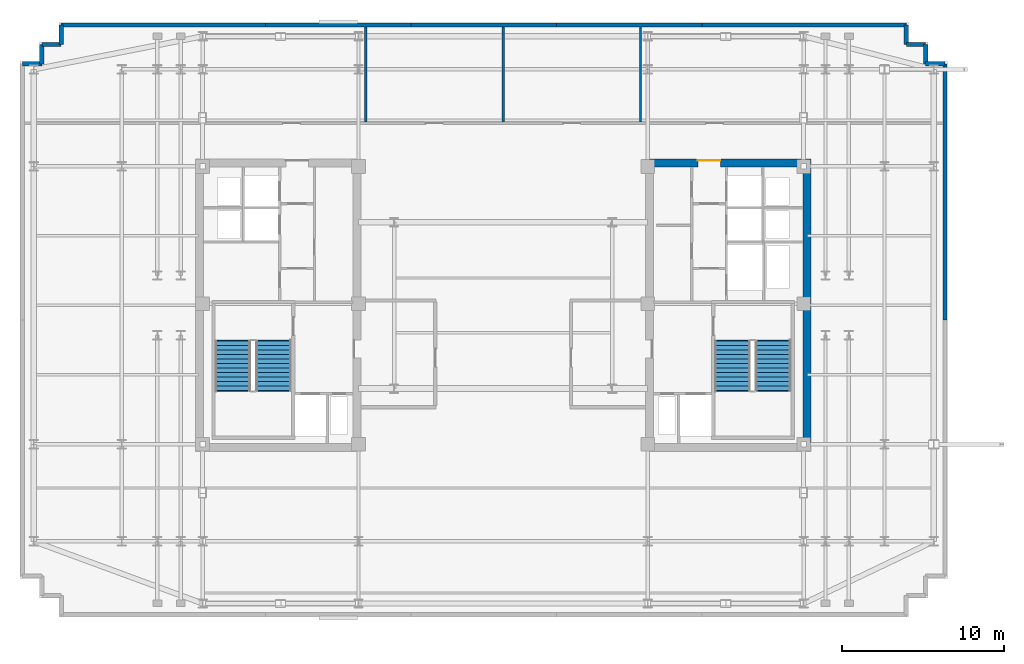
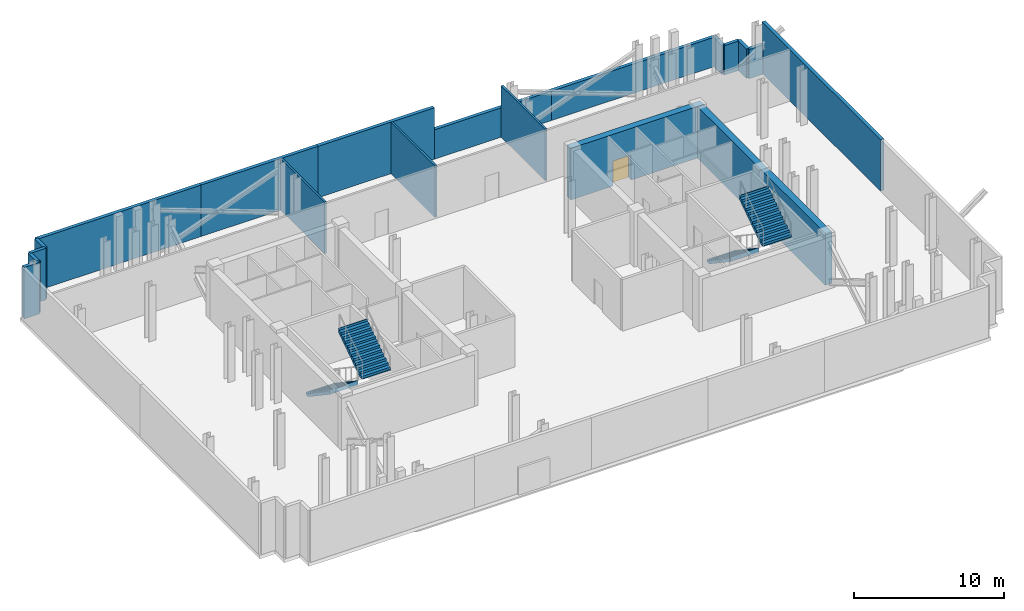
# One storey, part 6 of 8: 19 walls, 4 stair flights, 1 door, 1 opening, 2 elements without a shape of their own.
"""IFC4 building model written with IfcOpenShell, lengths in metres."""

from ifc_helpers import new_model, si_unit, direction, frame, frame_2d, origin, place, context, subcontext, project, spatial, polyline, rectangle, outline, extrude, material, layer, layer_set, type_object, element, fill, aggregate, save


model = new_model("IFC4")

# Units and contexts
model_context = context("Model", 3, precision=1e-05, world=origin(), true_north=direction((0.0, 1.0)))
body_context = subcontext(model_context, "Body", "Model", "MODEL_VIEW")
ifc_project = project(units=[si_unit("LENGTHUNIT", "METRE"), si_unit("AREAUNIT", "SQUARE_METRE"), si_unit("VOLUMEUNIT", "CUBIC_METRE"), si_unit("PLANEANGLEUNIT", "RADIAN"), si_unit("MASSUNIT", "GRAM", prefix="KILO")], contexts=[model_context])

# Site, building, storey
site_placement = place(None, origin())
site = spatial("IfcSite", under=ifc_project, at=site_placement, CompositionType="ELEMENT")
building_placement = place(site_placement, origin())
building = spatial("IfcBuilding", under=site, at=building_placement, Name="Velakula Bourse", CompositionType="ELEMENT")
storey_placement = place(building_placement, frame((0.0, 0.0, 243.0)))
storey = spatial("IfcBuildingStorey", under=building, at=storey_placement, Name="L66", CompositionType="ELEMENT", Elevation=243.0)

# Wall, opening, door
ifc_material_1 = material(Name="Concrete M50 (fck 50 MPa)", Category="concrete")
ifc_layer_1 = layer(ifc_material_1, 0.5, Name="Concrete M50 (fck 50 MPa)", Category="concrete")
ifc_layer_set_1 = layer_set([ifc_layer_1], Name="Concrete M50 (fck 50 MPa)")
wall_type_1 = type_object("IfcWallType", Name="WL-CORE-500", PredefinedType="SHEAR", material=ifc_layer_set_1)
wall_1_placement = place(storey_placement, frame((8.800048828125, 8.800048828125, 0.0), z_axis=(0.0, 0.0, 1.0), x_axis=(1.0, 0.0, 0.0)))
wall_1 = element("IfcWall", 1, at=wall_1_placement, inside=storey, type_object=wall_type_1, Name="L66 Core E Shear Wall N", PredefinedType="SHEAR", context=body_context, shape_type="SweptSolid", body=[
    extrude(rectangle(XDim=10.25, YDim=0.5, at=frame_2d((5.125, 0.0))), origin(), (0.0, 0.0, 1.0), 4.219970703125),
])
opening_placement = place(wall_1_placement, frame((3.25, 0.0, 0.0)))
opening = element("IfcOpeningElement", 2, at=opening_placement, cuts=wall_1, Name="Opening D-LLE", PredefinedType="OPENING", context=body_context, shape_type="SweptSolid", body=[
    extrude(rectangle(XDim=1.39990234375, YDim=2.050048828125, at=frame_2d((0.699951171875, 1.02490234375))), frame((0.0, 0.260009765625, 0.0), z_axis=(0.0, -1.0, 0.0), x_axis=(1.0, 0.0, 0.0)), (0.0, 0.0, 1.0), 0.52001953125),
])
ifc_material_2 = material(Name="Fire-rated hardwood flush architectural door", Category="wood")
door_type = type_object("IfcDoorType", Name="DR-DBL-FD60-1400", OperationType="DOUBLE_DOOR_SINGLE_SWING", PredefinedType="DOOR", material=ifc_material_2)
door_placement = place(opening_placement, origin())
door = element("IfcDoor", 3, at=door_placement, inside=storey, type_object=door_type, Name="L66 Core E Lift Lobby Corridor Double Door", OperationType="DOUBLE_DOOR_SINGLE_SWING", OverallHeight=2.050048828125, OverallWidth=1.39990234375, PredefinedType="DOOR", context=body_context, shape_type="SweptSolid", body=[
    extrude(rectangle(XDim=1.39990234375, YDim=2.050048828125, at=frame_2d((0.699951171875, 1.02490234375))), frame((0.0, 0.19482421875, 0.0), z_axis=(0.0, -1.0, 0.0), x_axis=(1.0, 0.0, 0.0)), (0.0, 0.0, 1.0), 0.050048828125),
])
fill(opening, door)

# Walls
wall_2_placement = place(storey_placement, frame((18.800048828125, -8.550048828125, 0.0), z_axis=(0.0, 0.0, 1.0), x_axis=(0.0, 1.0, 0.0)))
element("IfcWall", 4, at=wall_2_placement, inside=storey, type_object=wall_type_1, Name="L66 Core E Shear Wall E", PredefinedType="SHEAR", context=body_context, shape_type="SweptSolid", body=[
    extrude(rectangle(XDim=17.10009765625, YDim=0.5, at=frame_2d((8.550048828125, 0.0))), origin(), (0.0, 0.0, 1.0), 4.219970703125),
])
ifc_material_3 = material(Name="Buff kilned clay facing brick masonry", Category="masonry")
ifc_layer_2 = layer(ifc_material_3, 0.260009765625, Name="Buff kilned clay facing brick masonry", Category="masonry")
ifc_layer_set_2 = layer_set([ifc_layer_2], Name="Buff kilned clay facing brick masonry")
wall_type_2 = type_object("IfcWallType", Name="WL-EXT-BRK-260", PredefinedType="STANDARD", material=ifc_layer_set_2)
wall_3_placement = place(storey_placement, frame((-27.35009765625, 17.35009765625, 0.0), z_axis=(0.0, 0.0, 1.0), x_axis=(1.0, 0.0, 0.0)))
element("IfcWall", 5, at=wall_3_placement, inside=storey, type_object=wall_type_2, Name="L66 N Brick Spandrel Wall B1", PredefinedType="STANDARD", context=body_context, shape_type="SweptSolid", body=[
    extrude(rectangle(XDim=12.650146484375, YDim=0.260009765625, at=frame_2d((6.3251953125, 0.0))), origin(), (0.0, 0.0, 1.0), 4.199951171875),
])
for number, where, z_axis, x_axis, name in (
    (6, (-14.699951171875, 17.35009765625, 0.0), (0.0, 0.0, 1.0), (1.0, 0.0, 0.0), "L66 N Brick Spandrel Wall B2"),
    (7, (-5.699951171875, 17.35009765625, 0.0), (0.0, 0.0, 1.0), (1.0, 0.0, 0.0), "L66 N Brick Spandrel Wall B3"),
):
    element("IfcWall", number, at=place(storey_placement, frame(where, z_axis=z_axis, x_axis=x_axis)), inside=storey, type_object=wall_type_2, Name=name, PredefinedType="STANDARD", context=body_context, shape_type="SweptSolid", body=[
        extrude(rectangle(XDim=9.0, YDim=0.260009765625, at=frame_2d((4.5, 0.0))), origin(), (0.0, 0.0, 1.0), 4.199951171875),
    ])
wall_4_placement = place(storey_placement, frame((3.300048828125, 17.35009765625, 0.0), z_axis=(0.0, 0.0, 1.0), x_axis=(1.0, 0.0, 0.0)))
element("IfcWall", 8, at=wall_4_placement, inside=storey, type_object=wall_type_2, Name="L66 N Brick Spandrel Wall B4", PredefinedType="STANDARD", context=body_context, shape_type="SweptSolid", body=[
    extrude(rectangle(XDim=9.0, YDim=0.260009765625, at=frame_2d((4.5, 0.0))), origin(), (0.0, 0.0, 1.0), 2.39501953125),
])
wall_5_placement = place(storey_placement, frame((12.300048828125, 17.35009765625, 0.0), z_axis=(0.0, 0.0, 1.0), x_axis=(1.0, 0.0, 0.0)))
element("IfcWall", 9, at=wall_5_placement, inside=storey, type_object=wall_type_2, Name="L66 N Brick Spandrel Wall B5", PredefinedType="STANDARD", context=body_context, shape_type="SweptSolid", body=[
    extrude(rectangle(XDim=12.64990234375, YDim=0.260009765625, at=frame_2d((6.324951171875, 0.0))), origin(), (0.0, 0.0, 1.0), 2.39501953125),
])
wall_6_placement = place(storey_placement, frame((27.35009765625, 14.949951171875, 0.0), z_axis=(0.0, 0.0, 1.0), x_axis=(0.0, -1.0, 0.0)))
element("IfcWall", 10, at=wall_6_placement, inside=storey, type_object=wall_type_2, Name="L66 E Brick End Wall W2", PredefinedType="STANDARD", context=body_context, shape_type="SweptSolid", body=[
    extrude(rectangle(XDim=15.849853515625, YDim=0.260009765625, at=frame_2d((7.9248046875, 0.0))), origin(), (0.0, 0.0, 1.0), 4.199951171875),
])
wall_7_placement = place(storey_placement, frame((27.35009765625, 14.949951171875, 0.0), z_axis=(0.0, 0.0, 1.0), x_axis=(-1.0, 0.0, 0.0)))
element("IfcWall", 11, at=wall_7_placement, inside=storey, type_object=wall_type_2, Name="L66 Serrated Corner Brick Wall NE-1", PredefinedType="STANDARD", context=body_context, shape_type="SweptSolid", body=[
    extrude(rectangle(XDim=1.2001953125, YDim=0.260009765625, at=frame_2d((0.60009765625, 0.0))), origin(), (0.0, 0.0, 1.0), 2.39501953125),
])
for number, where, z_axis, x_axis, name in (
    (12, (26.14990234375, 14.949951171875, 0.0), (0.0, 0.0, 1.0), (0.0, 1.0, 0.0), "L66 Serrated Corner Brick Wall NE-2"),
    (13, (26.14990234375, 16.14990234375, 0.0), (0.0, 0.0, 1.0), (-1.0, 0.0, 0.0), "L66 Serrated Corner Brick Wall NE-3"),
):
    element("IfcWall", number, at=place(storey_placement, frame(where, z_axis=z_axis, x_axis=x_axis)), inside=storey, type_object=wall_type_2, Name=name, PredefinedType="STANDARD", context=body_context, shape_type="SweptSolid", body=[
        extrude(rectangle(XDim=1.199951171875, YDim=0.260009765625, at=frame_2d((0.60009765625, 0.0))), origin(), (0.0, 0.0, 1.0), 2.39501953125),
    ])
wall_8_placement = place(storey_placement, frame((24.949951171875, 16.14990234375, 0.0), z_axis=(0.0, 0.0, 1.0), x_axis=(0.0, 1.0, 0.0)))
element("IfcWall", 14, at=wall_8_placement, inside=storey, type_object=wall_type_2, Name="L66 Serrated Corner Brick Wall NE-4", PredefinedType="STANDARD", context=body_context, shape_type="SweptSolid", body=[
    extrude(rectangle(XDim=1.2001953125, YDim=0.260009765625, at=frame_2d((0.60009765625, 0.0))), origin(), (0.0, 0.0, 1.0), 2.39501953125),
])
wall_9_placement = place(storey_placement, frame((-27.35009765625, 17.35009765625, 0.0), z_axis=(0.0, 0.0, 1.0), x_axis=(0.0, -1.0, 0.0)))
element("IfcWall", 15, at=wall_9_placement, inside=storey, type_object=wall_type_2, Name="L66 Serrated Corner Brick Wall NW-1", PredefinedType="STANDARD", context=body_context, shape_type="SweptSolid", body=[
    extrude(rectangle(XDim=1.2001953125, YDim=0.260009765625, at=frame_2d((0.60009765625, 0.0))), origin(), (0.0, 0.0, 1.0), 4.199951171875),
])
for number, where, z_axis, x_axis, name in (
    (16, (-27.35009765625, 16.14990234375, 0.0), (0.0, 0.0, 1.0), (-1.0, 0.0, 0.0), "L66 Serrated Corner Brick Wall NW-2"),
    (17, (-28.550048828125, 16.14990234375, 0.0), (0.0, 0.0, 1.0), (0.0, -1.0, 0.0), "L66 Serrated Corner Brick Wall NW-3"),
    (18, (-28.550048828125, 14.949951171875, 0.0), (0.0, 0.0, 1.0), (-1.0, 0.0, 0.0), "L66 Serrated Corner Brick Wall NW-4"),
):
    element("IfcWall", number, at=place(storey_placement, frame(where, z_axis=z_axis, x_axis=x_axis)), inside=storey, type_object=wall_type_2, Name=name, PredefinedType="STANDARD", context=body_context, shape_type="SweptSolid", body=[
        extrude(rectangle(XDim=1.199951171875, YDim=0.260009765625, at=frame_2d((0.60009765625, 0.0))), origin(), (0.0, 0.0, 1.0), 4.199951171875),
    ])
ifc_material_4 = material(Name="Autoclaved aerated concrete blockwork masonry", Category="masonry")
ifc_layer_3 = layer(ifc_material_4, 0.14990234375, Name="Autoclaved aerated concrete blockwork masonry", Category="masonry")
ifc_layer_set_3 = layer_set([ifc_layer_3], Name="Autoclaved aerated concrete blockwork masonry")
wall_type_3 = type_object("IfcWallType", Name="WL-SHAFT-150", PredefinedType="STANDARD", material=ifc_layer_set_3)
for number, where, z_axis, x_axis, name in (
    (19, (-8.5, 11.35009765625, 0.0), (0.0, 0.0, 1.0), (0.0, 1.0, 0.0), "L66 Interior Partition WL-PLT-L66-DV-11"),
    (20, (0.0, 11.35009765625, 0.0), (0.0, 0.0, 1.0), (0.0, 1.0, 0.0), "L66 Interior Partition WL-PLT-L66-DV-20"),
    (21, (8.5, 11.35009765625, 0.0), (0.0, 0.0, 1.0), (0.0, 1.0, 0.0), "L66 Interior Partition WL-PLT-L66-DV-28"),
):
    element("IfcWall", number, at=place(storey_placement, frame(where, z_axis=z_axis, x_axis=x_axis)), inside=storey, type_object=wall_type_3, Name=name, PredefinedType="STANDARD", context=body_context, shape_type="SweptSolid", body=[
        extrude(rectangle(XDim=5.869873046875, YDim=0.14990234375, at=frame_2d((2.93505859375, 0.0))), origin(), (0.0, 0.0, 1.0), 4.199951171875),
    ])

# Stair, stair flights
ifc_material_5 = material(Name="Concrete M45 (fck 45 MPa)", Category="concrete")
stair_type = type_object("IfcStairType", Name="STR-DOG-435", PredefinedType="HALF_TURN_STAIR", material=ifc_material_5)
stair_1_placement = place(storey_placement, origin())
stair_1 = element("IfcStair", 22, at=stair_1_placement, inside=storey, type_object=stair_type, Name="L66 West Core Exit Stair ST-W1", PredefinedType="HALF_TURN_STAIR")
ifc_layer_4 = layer(ifc_material_5, 0.199951171875, Name="Concrete M45 (fck 45 MPa)", Category="concrete")
ifc_layer_set_4 = layer_set([ifc_layer_4], Name="Concrete M45 (fck 45 MPa)")
stair_flight_type = type_object("IfcStairFlightType", Name="FLT-DOG-435", PredefinedType="STRAIGHT", material=ifc_layer_set_4)
stair_flight_1_placement = place(storey_placement, frame((-16.720947265625, -2.199951171875, 0.0), z_axis=(0.0, 0.0, 1.0), x_axis=(0.0, -1.0, 0.0)))
stair_flight_1 = element("IfcStairFlight", 23, at=stair_flight_1_placement, type_object=stair_flight_type, Name="ST-W1 flight 1", NumberOfRisers=12, NumberOfTreads=11, PredefinedType="STRAIGHT", RiserHeight=0.1875, TreadLength=0.28, context=body_context, shape_type="SweptSolid", body=[
    extrude(outline(polyline([(-0.044921875, -0.0400390625), (-0.044921875, -0.036865234375), (-0.044921875, -0.033935546875), (-0.044921875, -0.03076171875), (-0.044921875, -0.027587890625), (-0.044921875, -0.024658203125), (-0.044921875, -0.021484375), (-0.044921875, -0.0185546875), (-0.044921875, -0.015380859375), (-0.044921875, -0.01220703125), (-0.044921875, -0.00927734375), (-0.044921875, -0.006103515625), (-0.044921875, -0.003173828125), (-0.044921875, 0.0), (0.0, 0.0), (0.0, 0.1875), (0.280029296875, 0.1875), (0.280029296875, 0.375), (0.56005859375, 0.375), (0.56005859375, 0.5625), (0.840087890625, 0.5625), (0.840087890625, 0.75), (1.1201171875, 0.75), (1.1201171875, 0.9375), (1.39990234375, 0.9375), (1.39990234375, 1.125), (1.679931640625, 1.125), (1.679931640625, 1.3125), (1.9599609375, 1.3125), (1.9599609375, 1.5), (2.239990234375, 1.5), (2.239990234375, 1.6875), (2.52001953125, 1.6875), (2.52001953125, 1.875), (2.800048828125, 1.875), (2.800048828125, 2.0625), (3.080078125, 2.0625), (3.080078125, 2.25), (3.125, 2.25), (3.125, 2.2236328125), (3.125, 2.197509765625), (3.125, 2.171142578125), (3.125, 2.144775390625), (3.125, 2.11865234375), (3.125, 2.09228515625), (3.125, 2.066162109375), (3.125, 2.039794921875), (3.125, 2.013427734375), (3.125, 1.9873046875), (3.125, 1.9609375), (3.125, 1.9345703125), (3.125, 1.908447265625), (3.125, 1.882080078125), (0.26953125, -0.0400390625), (-0.044921875, -0.0400390625)])), frame((0.0, 1.09912109375, 0.0), z_axis=(0.0, -1.0, 0.0), x_axis=(1.0, 0.0, 0.0)), (0.0, 0.0, 1.0), 2.197998046875),
])
stair_flight_2_placement = place(storey_placement, frame((-14.198974609375, -5.280029296875, 2.25), z_axis=(0.0, 0.0, 1.0), x_axis=(0.0, 1.0, 0.0)))
stair_flight_2 = element("IfcStairFlight", 24, at=stair_flight_2_placement, type_object=stair_flight_type, Name="ST-W1 flight 2", NumberOfRisers=12, NumberOfTreads=11, PredefinedType="STRAIGHT", RiserHeight=0.1875, TreadLength=0.28, context=body_context, shape_type="SweptSolid", body=[
    extrude(outline(polyline([(-0.044921875, -0.0400390625), (-0.044921875, -0.036865234375), (-0.044921875, -0.033935546875), (-0.044921875, -0.03076171875), (-0.044921875, -0.027587890625), (-0.044921875, -0.024658203125), (-0.044921875, -0.021484375), (-0.044921875, -0.0185546875), (-0.044921875, -0.015380859375), (-0.044921875, -0.01220703125), (-0.044921875, -0.00927734375), (-0.044921875, -0.006103515625), (-0.044921875, -0.003173828125), (-0.044921875, 0.0), (0.0, 0.0), (0.0, 0.1875), (0.280029296875, 0.1875), (0.280029296875, 0.375), (0.56005859375, 0.375), (0.56005859375, 0.5625), (0.840087890625, 0.5625), (0.840087890625, 0.75), (1.1201171875, 0.75), (1.1201171875, 0.9375), (1.39990234375, 0.9375), (1.39990234375, 1.125), (1.679931640625, 1.125), (1.679931640625, 1.3125), (1.9599609375, 1.3125), (1.9599609375, 1.5), (2.239990234375, 1.5), (2.239990234375, 1.6875), (2.52001953125, 1.6875), (2.52001953125, 1.875), (2.800048828125, 1.875), (2.800048828125, 2.0625), (3.080078125, 2.0625), (3.080078125, 2.25), (3.125, 2.25), (3.125, 2.2236328125), (3.125, 2.197509765625), (3.125, 2.171142578125), (3.125, 2.144775390625), (3.125, 2.11865234375), (3.125, 2.09228515625), (3.125, 2.066162109375), (3.125, 2.039794921875), (3.125, 2.013427734375), (3.125, 1.9873046875), (3.125, 1.9609375), (3.125, 1.9345703125), (3.125, 1.908447265625), (3.125, 1.882080078125), (0.26953125, -0.0400390625), (-0.044921875, -0.0400390625)])), frame((0.0, 1.09912109375, 0.0), z_axis=(0.0, -1.0, 0.0), x_axis=(1.0, 0.0, 0.0)), (0.0, 0.0, 1.0), 2.197998046875),
])
aggregate(stair_1, [stair_flight_1, stair_flight_2])

stair_2_placement = place(storey_placement, origin())
stair_2 = element("IfcStair", 25, at=stair_2_placement, inside=storey, type_object=stair_type, Name="L66 East Core Exit Stair ST-E1", PredefinedType="HALF_TURN_STAIR")
stair_flight_3_placement = place(storey_placement, frame((14.198974609375, -2.199951171875, 0.0), z_axis=(0.0, 0.0, 1.0), x_axis=(0.0, -1.0, 0.0)))
stair_flight_3 = element("IfcStairFlight", 26, at=stair_flight_3_placement, type_object=stair_flight_type, Name="ST-E1 flight 1", NumberOfRisers=12, NumberOfTreads=11, PredefinedType="STRAIGHT", RiserHeight=0.1875, TreadLength=0.28, context=body_context, shape_type="SweptSolid", body=[
    extrude(outline(polyline([(-0.044921875, -0.0400390625), (-0.044921875, -0.036865234375), (-0.044921875, -0.033935546875), (-0.044921875, -0.03076171875), (-0.044921875, -0.027587890625), (-0.044921875, -0.024658203125), (-0.044921875, -0.021484375), (-0.044921875, -0.0185546875), (-0.044921875, -0.015380859375), (-0.044921875, -0.01220703125), (-0.044921875, -0.00927734375), (-0.044921875, -0.006103515625), (-0.044921875, -0.003173828125), (-0.044921875, 0.0), (0.0, 0.0), (0.0, 0.1875), (0.280029296875, 0.1875), (0.280029296875, 0.375), (0.56005859375, 0.375), (0.56005859375, 0.5625), (0.840087890625, 0.5625), (0.840087890625, 0.75), (1.1201171875, 0.75), (1.1201171875, 0.9375), (1.39990234375, 0.9375), (1.39990234375, 1.125), (1.679931640625, 1.125), (1.679931640625, 1.3125), (1.9599609375, 1.3125), (1.9599609375, 1.5), (2.239990234375, 1.5), (2.239990234375, 1.6875), (2.52001953125, 1.6875), (2.52001953125, 1.875), (2.800048828125, 1.875), (2.800048828125, 2.0625), (3.080078125, 2.0625), (3.080078125, 2.25), (3.125, 2.25), (3.125, 2.2236328125), (3.125, 2.197509765625), (3.125, 2.171142578125), (3.125, 2.144775390625), (3.125, 2.11865234375), (3.125, 2.09228515625), (3.125, 2.066162109375), (3.125, 2.039794921875), (3.125, 2.013427734375), (3.125, 1.9873046875), (3.125, 1.9609375), (3.125, 1.9345703125), (3.125, 1.908447265625), (3.125, 1.882080078125), (0.26953125, -0.0400390625), (-0.044921875, -0.0400390625)])), frame((0.0, 1.09912109375, 0.0), z_axis=(0.0, -1.0, 0.0), x_axis=(1.0, 0.0, 0.0)), (0.0, 0.0, 1.0), 2.197998046875),
])
stair_flight_4_placement = place(storey_placement, frame((16.720947265625, -5.280029296875, 2.25), z_axis=(0.0, 0.0, 1.0), x_axis=(0.0, 1.0, 0.0)))
stair_flight_4 = element("IfcStairFlight", 27, at=stair_flight_4_placement, type_object=stair_flight_type, Name="ST-E1 flight 2", NumberOfRisers=12, NumberOfTreads=11, PredefinedType="STRAIGHT", RiserHeight=0.1875, TreadLength=0.28, context=body_context, shape_type="SweptSolid", body=[
    extrude(outline(polyline([(-0.044921875, -0.0400390625), (-0.044921875, -0.036865234375), (-0.044921875, -0.033935546875), (-0.044921875, -0.03076171875), (-0.044921875, -0.027587890625), (-0.044921875, -0.024658203125), (-0.044921875, -0.021484375), (-0.044921875, -0.0185546875), (-0.044921875, -0.015380859375), (-0.044921875, -0.01220703125), (-0.044921875, -0.00927734375), (-0.044921875, -0.006103515625), (-0.044921875, -0.003173828125), (-0.044921875, 0.0), (0.0, 0.0), (0.0, 0.1875), (0.280029296875, 0.1875), (0.280029296875, 0.375), (0.56005859375, 0.375), (0.56005859375, 0.5625), (0.840087890625, 0.5625), (0.840087890625, 0.75), (1.1201171875, 0.75), (1.1201171875, 0.9375), (1.39990234375, 0.9375), (1.39990234375, 1.125), (1.679931640625, 1.125), (1.679931640625, 1.3125), (1.9599609375, 1.3125), (1.9599609375, 1.5), (2.239990234375, 1.5), (2.239990234375, 1.6875), (2.52001953125, 1.6875), (2.52001953125, 1.875), (2.800048828125, 1.875), (2.800048828125, 2.0625), (3.080078125, 2.0625), (3.080078125, 2.25), (3.125, 2.25), (3.125, 2.2236328125), (3.125, 2.197509765625), (3.125, 2.171142578125), (3.125, 2.144775390625), (3.125, 2.11865234375), (3.125, 2.09228515625), (3.125, 2.066162109375), (3.125, 2.039794921875), (3.125, 2.013427734375), (3.125, 1.9873046875), (3.125, 1.9609375), (3.125, 1.9345703125), (3.125, 1.908447265625), (3.125, 1.882080078125), (0.26953125, -0.0400390625), (-0.044921875, -0.0400390625)])), frame((0.0, 1.09912109375, 0.0), z_axis=(0.0, -1.0, 0.0), x_axis=(1.0, 0.0, 0.0)), (0.0, 0.0, 1.0), 2.197998046875),
])
aggregate(stair_2, [stair_flight_3, stair_flight_4])

save(model, "model.ifc")
